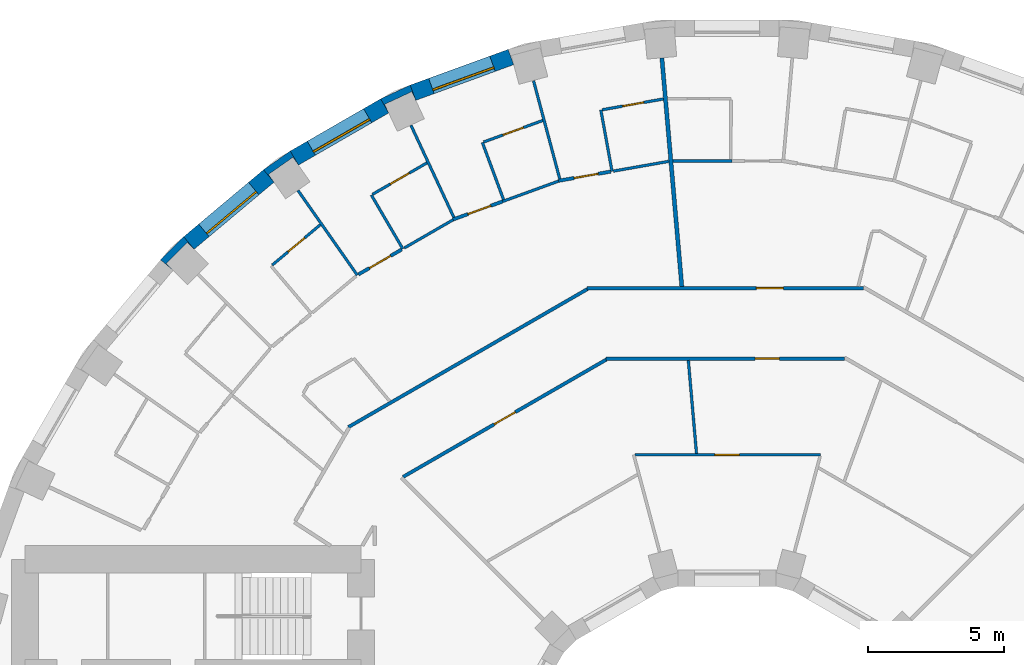
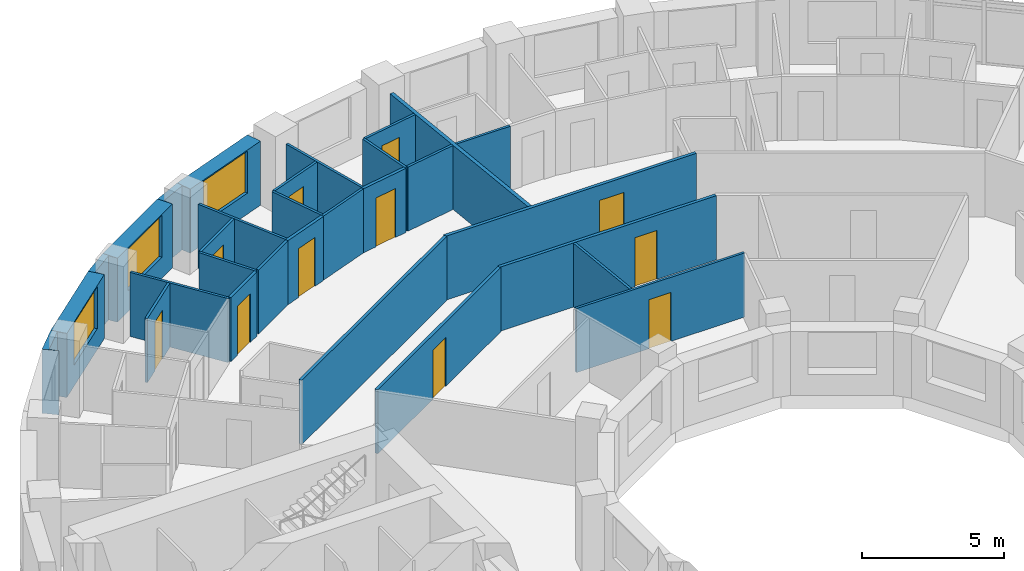
# One storey, part 11 of 15: 30 walls, 11 doors, 3 windows, 14 openings.
"""IFC4 building model written with IfcOpenShell, lengths in metres."""

from ifc_helpers import new_model, si_unit, direction, frame, frame_2d, origin, place, context, subcontext, project, spatial, polyline, rectangle, outline, extrude, material, layer, layer_set, type_object, element, fill, save


model = new_model("IFC4")

# Units and contexts
model_context = context("Model", 3, precision=1e-05, world=origin(), true_north=direction((0.0, 1.0)))
body_context = subcontext(model_context, "Body", "Model", "MODEL_VIEW")
ifc_project = project(units=[si_unit("LENGTHUNIT", "METRE"), si_unit("AREAUNIT", "SQUARE_METRE"), si_unit("VOLUMEUNIT", "CUBIC_METRE"), si_unit("PLANEANGLEUNIT", "RADIAN"), si_unit("MASSUNIT", "GRAM", prefix="KILO")], contexts=[model_context])

# Site, building, storey
site_placement = place(None, origin())
site = spatial("IfcSite", under=ifc_project, at=site_placement, CompositionType="ELEMENT")
building_placement = place(site_placement, origin())
building = spatial("IfcBuilding", under=site, at=building_placement, Name="Saqina Gate Tower", CompositionType="ELEMENT")
storey_placement = place(building_placement, frame((0.0, 0.0, 59.300048828125)))
storey = spatial("IfcBuildingStorey", under=building, at=storey_placement, Name="L16", CompositionType="ELEMENT", Elevation=59.300048828125)

# Walls
ifc_material_1 = material(Name="Brick masonry (red)", Category="masonry")
wall_type_1 = type_object("IfcWallType", Name="BRICK PIER COPING RED", PredefinedType="SOLIDWALL", material=ifc_material_1)
wall_1_placement = place(storey_placement, origin())
element("IfcWall", 1, at=wall_1_placement, inside=storey, type_object=wall_type_1, Name="Pier cap L16 column 12", PredefinedType="SOLIDWALL", context=body_context, shape_type="SweptSolid", body=[
    extrude(outline(polyline([(-12.779541015625, 25.980712890625), (-12.4794921875, 25.4609375), (-12.627685546875, 25.778564453125), (-11.630615234375, 26.243408203125), (-11.482666015625, 25.92578125), (-11.687744140625, 26.48974609375), (-12.779541015625, 25.980712890625)])), origin(), (0.0, 0.0, 1.0), 2.75),
])
wall_2_placement = place(storey_placement, origin())
element("IfcWall", 2, at=wall_2_placement, inside=storey, type_object=wall_type_1, Name="Pier cap L16 column 13", PredefinedType="SOLIDWALL", context=body_context, shape_type="SweptSolid", body=[
    extrude(outline(polyline([(-16.110107421875, 24.0576171875), (-17.096923828125, 23.36669921875), (-16.711181640625, 22.9072265625), (-16.912109375, 23.194091796875), (-16.010986328125, 23.8251953125), (-15.81005859375, 23.5380859375), (-16.110107421875, 24.0576171875)])), origin(), (0.0, 0.0, 1.0), 2.75),
])
wall_3_placement = place(storey_placement, origin())
element("IfcWall", 3, at=wall_3_placement, inside=storey, type_object=wall_type_1, Name="Pier cap L16 column 14", PredefinedType="SOLIDWALL", context=body_context, shape_type="SweptSolid", body=[
    extrude(outline(polyline([(-20.894775390625, 20.04296875), (-20.43505859375, 19.6572265625), (-20.682861328125, 19.905029296875), (-19.905029296875, 20.682861328125), (-19.6572265625, 20.43505859375), (-20.04296875, 20.894775390625), (-20.894775390625, 20.04296875)])), origin(), (0.0, 0.0, 1.0), 2.75),
])

# Wall, opening, window
ifc_material_2 = material(Name="Brick masonry (red)", Category="masonry")
ifc_layer_1 = layer(ifc_material_2, 0.60009765625)
ifc_layer_set_1 = layer_set([ifc_layer_1], Name="FW-BRICK-RED")
wall_type_2 = type_object("IfcWallType", Name="FW-BRICK-RED", PredefinedType="SOLIDWALL", material=ifc_layer_set_1)
wall_4_placement = place(storey_placement, frame((-7.97119140625, 27.523193359375, 0.0), z_axis=(0.0, 0.0, 1.0), x_axis=(-0.939689588564, -0.342028474173, 0.0)))
wall_4 = element("IfcWall", 4, at=wall_4_placement, inside=storey, type_object=wall_type_2, Name="Facade wall L16 facet 11", PredefinedType="SOLIDWALL", context=body_context, shape_type="SweptSolid", body=[
    extrude(rectangle(XDim=3.845947265625, YDim=0.60009765625, at=frame_2d((1.9228515625, 0.0))), origin(), (0.0, 0.0, 1.0), 2.75),
])
opening_1_placement = place(wall_4_placement, frame((0.722900390625, 0.0, 0.89990234375)))
opening_1 = element("IfcOpeningElement", 5, at=opening_1_placement, cuts=wall_4, Name="Opening G04-W06", PredefinedType="OPENING", context=body_context, shape_type="SweptSolid", body=[
    extrude(rectangle(XDim=2.39990234375, YDim=1.800048828125, at=frame_2d((1.199951171875, 0.89990234375))), frame((0.0, 0.31201171875, 0.0), z_axis=(0.0, -1.0, 0.0), x_axis=(1.0, 0.0, 0.0)), (0.0, 0.0, 1.0), 0.6240234375),
])
ifc_material_3 = material(Name="Aluminium glazing", Category="aluminium")
window_type = type_object("IfcWindowType", Name="WN-A", PartitioningType="SINGLE_PANEL", PredefinedType="WINDOW", material=ifc_material_3)
window_1_placement = place(opening_1_placement, origin())
window_1 = element("IfcWindow", 6, at=window_1_placement, inside=storey, type_object=window_type, Name="Window L16 facet 11", OverallHeight=1.800048828125, OverallWidth=2.39990234375, PartitioningType="SINGLE_PANEL", PredefinedType="WINDOW", context=body_context, shape_type="SweptSolid", body=[
    extrude(rectangle(XDim=2.39990234375, YDim=1.800048828125, at=frame_2d((1.199951171875, 0.89990234375))), frame((0.0, 0.179931640625, 0.0), z_axis=(0.0, -1.0, 0.0), x_axis=(1.0, 0.0, 0.0)), (0.0, 0.0, 1.0), 0.06005859375),
])
fill(opening_1, window_1)

wall_5_placement = place(storey_placement, frame((-12.629638671875, 25.720703125, 0.0), z_axis=(0.0, 0.0, 1.0), x_axis=(-0.86603124159, -0.499989888488, 0.0)))
wall_5 = element("IfcWall", 7, at=wall_5_placement, inside=storey, type_object=wall_type_2, Name="Facade wall L16 facet 12", PredefinedType="SOLIDWALL", context=body_context, shape_type="SweptSolid", body=[
    extrude(rectangle(XDim=3.845703125, YDim=0.60009765625, at=frame_2d((1.9228515625, 0.0))), origin(), (0.0, 0.0, 1.0), 2.75),
])
opening_2_placement = place(wall_5_placement, frame((0.722900390625, 0.0, 0.89990234375)))
opening_2 = element("IfcOpeningElement", 8, at=opening_2_placement, cuts=wall_5, Name="Opening G04-W07", PredefinedType="OPENING", context=body_context, shape_type="SweptSolid", body=[
    extrude(rectangle(XDim=2.39990234375, YDim=1.800048828125, at=frame_2d((1.199951171875, 0.89990234375))), frame((0.0, 0.31201171875, 0.0), z_axis=(0.0, -1.0, 0.0), x_axis=(1.0, 0.0, 0.0)), (0.0, 0.0, 1.0), 0.6240234375),
])
window_2_placement = place(opening_2_placement, origin())
window_2 = element("IfcWindow", 9, at=window_2_placement, inside=storey, type_object=window_type, Name="Window L16 facet 12", OverallHeight=1.800048828125, OverallWidth=2.39990234375, PartitioningType="SINGLE_PANEL", PredefinedType="WINDOW", context=body_context, shape_type="SweptSolid", body=[
    extrude(rectangle(XDim=2.39990234375, YDim=1.800048828125, at=frame_2d((1.199951171875, 0.89990234375))), frame((0.0, 0.179931640625, 0.0), z_axis=(0.0, -1.0, 0.0), x_axis=(1.0, 0.0, 0.0)), (0.0, 0.0, 1.0), 0.06005859375),
])
fill(opening_2, window_2)

wall_6_placement = place(storey_placement, frame((-16.904052734375, 23.136962890625, 0.0), z_axis=(0.0, 0.0, 1.0), x_axis=(-0.766026164483, -0.642809392687, 0.0)))
wall_6 = element("IfcWall", 10, at=wall_6_placement, inside=storey, type_object=wall_type_2, Name="Facade wall L16 facet 13", PredefinedType="SOLIDWALL", context=body_context, shape_type="SweptSolid", body=[
    extrude(rectangle(XDim=3.845947265625, YDim=0.60009765625, at=frame_2d((1.9228515625, 0.0))), origin(), (0.0, 0.0, 1.0), 2.75),
])
opening_3_placement = place(wall_6_placement, frame((0.722900390625, 0.0, 0.89990234375)))
opening_3 = element("IfcOpeningElement", 11, at=opening_3_placement, cuts=wall_6, Name="Opening G04-W08", PredefinedType="OPENING", context=body_context, shape_type="SweptSolid", body=[
    extrude(rectangle(XDim=2.39990234375, YDim=1.800048828125, at=frame_2d((1.199951171875, 0.89990234375))), frame((0.0, 0.31201171875, 0.0), z_axis=(0.0, -1.0, 0.0), x_axis=(1.0, 0.0, 0.0)), (0.0, 0.0, 1.0), 0.6240234375),
])
window_3_placement = place(opening_3_placement, origin())
window_3 = element("IfcWindow", 12, at=window_3_placement, inside=storey, type_object=window_type, Name="Window L16 facet 13", OverallHeight=1.800048828125, OverallWidth=2.39990234375, PartitioningType="SINGLE_PANEL", PredefinedType="WINDOW", context=body_context, shape_type="SweptSolid", body=[
    extrude(rectangle(XDim=2.39990234375, YDim=1.800048828125, at=frame_2d((1.199951171875, 0.89990234375))), frame((0.0, 0.179931640625, 0.0), z_axis=(0.0, -1.0, 0.0), x_axis=(1.0, 0.0, 0.0)), (0.0, 0.0, 1.0), 0.06005859375),
])
fill(opening_3, window_3)

# Walls
ifc_material_4 = material(Name="Gypsum board on steel studs, 100 mm", Category="steel")
ifc_layer_2 = layer(ifc_material_4, 0.10009765625)
ifc_layer_set_2 = layer_set([ifc_layer_2], Name="PARTITION 100")
wall_type_3 = type_object("IfcWallType", Name="PARTITION 100", PredefinedType="PARTITIONING", material=ifc_layer_set_2)
wall_7_placement = place(storey_placement, frame((-1.429443359375, 16.337646484375, 0.0), z_axis=(0.0, 0.0, 1.0), x_axis=(0.087231016206, -0.996188109652, 0.0)))
element("IfcWall", 13, at=wall_7_placement, inside=storey, type_object=wall_type_3, Name="PARTITION PW3-04", PredefinedType="PARTITIONING", context=body_context, shape_type="SweptSolid", body=[
    extrude(rectangle(XDim=3.450927734375, YDim=0.10009765625, at=frame_2d((1.7255859375, 0.0))), origin(), (0.0, 0.0, 1.0), 2.75),
])
wall_8_placement = place(storey_placement, frame((-4.656005859375, 25.570068359375, 0.0), z_axis=(0.0, 0.0, 1.0), x_axis=(0.179165642613, -0.983818922621, 0.0)))
element("IfcWall", 14, at=wall_8_placement, inside=storey, type_object=wall_type_3, Name="PARTITION PW3-08", PredefinedType="PARTITIONING", context=body_context, shape_type="SweptSolid", body=[
    extrude(rectangle(XDim=2.300048828125, YDim=0.10009765625, at=frame_2d((1.14990234375, 0.0))), origin(), (0.0, 0.0, 1.0), 2.75),
])
wall_9_placement = place(storey_placement, frame((-7.139404296875, 26.650146484375, 0.0), z_axis=(0.0, 0.0, 1.0), x_axis=(0.258074907141, -0.966124910301, 0.0)))
element("IfcWall", 15, at=wall_9_placement, inside=storey, type_object=wall_type_3, Name="PARTITION PW3-09", PredefinedType="PARTITIONING", context=body_context, shape_type="SweptSolid", body=[
    extrude(rectangle(XDim=3.759521484375, YDim=0.10009765625, at=frame_2d((1.8798828125, 0.0))), origin(), (0.0, 0.0, 1.0), 2.75),
])
wall_10_placement = place(storey_placement, frame((-9.02587890625, 24.3720703125, 0.0), z_axis=(0.0, 0.0, 1.0), x_axis=(0.347445153589, -0.937700306733, 0.0)))
element("IfcWall", 16, at=wall_10_placement, inside=storey, type_object=wall_type_3, Name="PARTITION PW3-14", PredefinedType="PARTITIONING", context=body_context, shape_type="SweptSolid", body=[
    extrude(rectangle(XDim=2.249267578125, YDim=0.10009765625, at=frame_2d((1.12451171875, 0.0))), origin(), (0.0, 0.0, 1.0), 2.75),
])
wall_11_placement = place(storey_placement, frame((-11.65966796875, 25.005126953125, 0.0), z_axis=(0.0, 0.0, 1.0), x_axis=(0.422316636066, -0.906448376303, 0.0)))
element("IfcWall", 17, at=wall_11_placement, inside=storey, type_object=wall_type_3, Name="PARTITION PW3-15", PredefinedType="PARTITIONING", context=body_context, shape_type="SweptSolid", body=[
    extrude(rectangle(XDim=3.760009765625, YDim=0.10009765625, at=frame_2d((1.8798828125, 0.0))), origin(), (0.0, 0.0, 1.0), 2.75),
])
wall_12_placement = place(storey_placement, frame((-13.12109375, 22.43505859375, 0.0), z_axis=(0.0, 0.0, 1.0), x_axis=(0.504708754908, -0.863289680651, 0.0)))
element("IfcWall", 18, at=wall_12_placement, inside=storey, type_object=wall_type_3, Name="PARTITION PW3-17", PredefinedType="PARTITIONING", context=body_context, shape_type="SweptSolid", body=[
    extrude(rectangle(XDim=2.300537109375, YDim=0.10009765625, at=frame_2d((1.150390625, 0.0))), origin(), (0.0, 0.0, 1.0), 2.75),
])
wall_13_placement = place(storey_placement, frame((-15.824951171875, 22.6005859375, 0.0), z_axis=(0.0, 0.0, 1.0), x_axis=(0.573574167811, -0.819153632733, 0.0)))
element("IfcWall", 19, at=wall_13_placement, inside=storey, type_object=wall_type_3, Name="PARTITION PW3-19", PredefinedType="PARTITIONING", context=body_context, shape_type="SweptSolid", body=[
    extrude(rectangle(XDim=3.8095703125, YDim=0.10009765625, at=frame_2d((1.90478515625, 0.0))), origin(), (0.0, 0.0, 1.0), 2.75),
])

# Wall, opening, door
wall_14_placement = place(storey_placement, frame((-3.39306640625, 12.85009765625, 0.0), z_axis=(0.0, 0.0, 1.0), x_axis=(1.0, 0.0, 0.0)))
wall_14 = element("IfcWall", 20, at=wall_14_placement, inside=storey, type_object=wall_type_3, Name="PARTITION PW3-59", PredefinedType="PARTITIONING", context=body_context, shape_type="SweptSolid", body=[
    extrude(rectangle(XDim=6.836181640625, YDim=0.10009765625, at=frame_2d((3.41796875, 0.0))), origin(), (0.0, 0.0, 1.0), 2.75),
])
opening_4_placement = place(wall_14_placement, frame((2.943115234375, 0.0, 0.0)))
opening_4 = element("IfcOpeningElement", 21, at=opening_4_placement, cuts=wall_14, Name="Opening G04-D18", PredefinedType="OPENING", context=body_context, shape_type="SweptSolid", body=[
    extrude(rectangle(XDim=0.89990234375, YDim=2.10009765625, at=frame_2d((0.449951171875, 1.050048828125))), frame((0.0, 0.06201171875, 0.0), z_axis=(0.0, -1.0, 0.0), x_axis=(1.0, 0.0, 0.0)), (0.0, 0.0, 1.0), 0.1240234375),
])
ifc_material_5 = material(Name="Timber door leaf, 900 mm", Category="wood")
door_type_1 = type_object("IfcDoorType", Name="DOOR 900 TIMBER", OperationType="SINGLE_SWING_LEFT", PredefinedType="DOOR", material=ifc_material_5)
door_1_placement = place(opening_4_placement, frame((0.89990234375, 0.0, 0.0), z_axis=(0.0, 0.0, 1.0), x_axis=(-1.0, 0.0, 0.0)))
door_1 = element("IfcDoor", 22, at=door_1_placement, inside=storey, type_object=door_type_1, Name="DOOR G04-D18", OperationType="SINGLE_SWING_RIGHT", OverallHeight=2.10009765625, OverallWidth=0.89990234375, PredefinedType="DOOR", context=body_context, shape_type="SweptSolid", body=[
    extrude(rectangle(XDim=0.89990234375, YDim=2.10009765625, at=frame_2d((0.449951171875, 1.050048828125))), frame((0.0, 0.02490234375, 0.0), z_axis=(0.0, -1.0, 0.0), x_axis=(1.0, 0.0, 0.0)), (0.0, 0.0, 1.0), 0.050048828125),
])
fill(opening_4, door_1)

# Walls
wall_15_placement = place(storey_placement, frame((-1.998046875, 23.68994140625, 0.0), z_axis=(0.0, 0.0, 1.0), x_axis=(1.0, 0.0, 0.0)))
element("IfcWall", 23, at=wall_15_placement, inside=storey, type_object=wall_type_3, Name="PARTITION PW3-61", PredefinedType="PARTITIONING", context=body_context, shape_type="SweptSolid", body=[
    extrude(rectangle(XDim=2.18115234375, YDim=0.10009765625, at=frame_2d((1.090576171875, 0.0))), origin(), (0.0, 0.0, 1.0), 2.75),
])
wall_16_placement = place(storey_placement, frame((-4.19482421875, 23.315673828125, 0.0), z_axis=(0.0, 0.0, 1.0), x_axis=(0.984788286148, 0.173758543574, 0.0)))
element("IfcWall", 24, at=wall_16_placement, inside=storey, type_object=wall_type_3, Name="PARTITION PW3-65", PredefinedType="PARTITIONING", context=body_context, shape_type="SweptSolid", body=[
    extrude(rectangle(XDim=2.07958984375, YDim=0.10009765625, at=frame_2d((1.039794921875, 0.0))), origin(), (0.0, 0.0, 1.0), 2.75),
])

# Wall, opening, door
wall_17_placement = place(storey_placement, frame((-4.606689453125, 25.57861328125, 0.0), z_axis=(0.0, 0.0, 1.0), x_axis=(0.984796414822, 0.173712467465, 0.0)))
wall_17 = element("IfcWall", 25, at=wall_17_placement, inside=storey, type_object=wall_type_3, Name="PARTITION PW3-66", PredefinedType="PARTITIONING", context=body_context, shape_type="SweptSolid", body=[
    extrude(rectangle(XDim=2.293701171875, YDim=0.10009765625, at=frame_2d((1.14697265625, 0.0))), origin(), (0.0, 0.0, 1.0), 2.75),
])
opening_5_placement = place(wall_17_placement, frame((0.759521484375, 0.0, 0.0)))
opening_5 = element("IfcOpeningElement", 26, at=opening_5_placement, cuts=wall_17, Name="Opening G04-D20", PredefinedType="OPENING", context=body_context, shape_type="SweptSolid", body=[
    extrude(rectangle(XDim=0.800048828125, YDim=2.10009765625, at=frame_2d((0.39990234375, 1.050048828125))), frame((0.0, 0.06201171875, 0.0), z_axis=(0.0, -1.0, 0.0), x_axis=(1.0, 0.0, 0.0)), (0.0, 0.0, 1.0), 0.1240234375),
])
ifc_material_6 = material(Name="Timber door leaf, 800 mm", Category="wood")
door_type_2 = type_object("IfcDoorType", Name="DOOR 800 TIMBER", OperationType="SINGLE_SWING_LEFT", PredefinedType="DOOR", material=ifc_material_6)
door_2_placement = place(opening_5_placement, origin())
door_2 = element("IfcDoor", 27, at=door_2_placement, inside=storey, type_object=door_type_2, Name="DOOR G04-D20", OperationType="SINGLE_SWING_RIGHT", OverallHeight=2.10009765625, OverallWidth=0.800048828125, PredefinedType="DOOR", context=body_context, shape_type="SweptSolid", body=[
    extrude(rectangle(XDim=0.800048828125, YDim=2.10009765625, at=frame_2d((0.39990234375, 1.050048828125))), frame((0.0, 0.02490234375, 0.0), z_axis=(0.0, -1.0, 0.0), x_axis=(1.0, 0.0, 0.0)), (0.0, 0.0, 1.0), 0.050048828125),
])
fill(opening_5, door_2)

# Wall
wall_18_placement = place(storey_placement, frame((-8.27392578125, 22.19873046875, 0.0), z_axis=(0.0, 0.0, 1.0), x_axis=(0.939712116987, 0.341966573204, 0.0)))
element("IfcWall", 28, at=wall_18_placement, inside=storey, type_object=wall_type_3, Name="PARTITION PW3-69", PredefinedType="PARTITIONING", context=body_context, shape_type="SweptSolid", body=[
    extrude(rectangle(XDim=2.1923828125, YDim=0.10009765625, at=frame_2d((1.09619140625, 0.0))), origin(), (0.0, 0.0, 1.0), 2.75),
])

# Wall, opening, door
wall_19_placement = place(storey_placement, frame((-8.97900390625, 24.38916015625, 0.0), z_axis=(0.0, 0.0, 1.0), x_axis=(0.93967659433, 0.342064172443, 0.0)))
wall_19 = element("IfcWall", 29, at=wall_19_placement, inside=storey, type_object=wall_type_3, Name="PARTITION PW3-70", PredefinedType="PARTITIONING", context=body_context, shape_type="SweptSolid", body=[
    extrude(rectangle(XDim=2.319580078125, YDim=0.10009765625, at=frame_2d((1.15966796875, 0.0))), origin(), (0.0, 0.0, 1.0), 2.75),
])
opening_6_placement = place(wall_19_placement, frame((0.760009765625, 0.0, 0.0)))
opening_6 = element("IfcOpeningElement", 30, at=opening_6_placement, cuts=wall_19, Name="Opening G04-D22", PredefinedType="OPENING", context=body_context, shape_type="SweptSolid", body=[
    extrude(rectangle(XDim=0.800048828125, YDim=2.10009765625, at=frame_2d((0.39990234375, 1.050048828125))), frame((0.0, 0.06201171875, 0.0), z_axis=(0.0, -1.0, 0.0), x_axis=(1.0, 0.0, 0.0)), (0.0, 0.0, 1.0), 0.1240234375),
])
door_3_placement = place(opening_6_placement, origin())
door_3 = element("IfcDoor", 31, at=door_3_placement, inside=storey, type_object=door_type_2, Name="DOOR G04-D22", OperationType="SINGLE_SWING_RIGHT", OverallHeight=2.10009765625, OverallWidth=0.800048828125, PredefinedType="DOOR", context=body_context, shape_type="SweptSolid", body=[
    extrude(rectangle(XDim=0.800048828125, YDim=2.10009765625, at=frame_2d((0.39990234375, 1.050048828125))), frame((0.0, 0.02490234375, 0.0), z_axis=(0.0, -1.0, 0.0), x_axis=(1.0, 0.0, 0.0)), (0.0, 0.0, 1.0), 0.050048828125),
])
fill(opening_6, door_3)

# Wall
wall_20_placement = place(storey_placement, frame((-11.90576171875, 20.480224609375, 0.0), z_axis=(0.0, 0.0, 1.0), x_axis=(0.865966712092, 0.500101643217, 0.0)))
element("IfcWall", 32, at=wall_20_placement, inside=storey, type_object=wall_type_3, Name="PARTITION PW3-77", PredefinedType="PARTITIONING", context=body_context, shape_type="SweptSolid", body=[
    extrude(rectangle(XDim=2.08056640625, YDim=0.10009765625, at=frame_2d((1.040283203125, 0.0))), origin(), (0.0, 0.0, 1.0), 2.75),
])

# Wall, opening, door
wall_21_placement = place(storey_placement, frame((-13.07763671875, 22.4599609375, 0.0), z_axis=(0.0, 0.0, 1.0), x_axis=(0.865947141423, 0.500135529893, 0.0)))
wall_21 = element("IfcWall", 33, at=wall_21_placement, inside=storey, type_object=wall_type_3, Name="PARTITION PW3-78", PredefinedType="PARTITIONING", context=body_context, shape_type="SweptSolid", body=[
    extrude(rectangle(XDim=2.319091796875, YDim=0.10009765625, at=frame_2d((1.15966796875, 0.0))), origin(), (0.0, 0.0, 1.0), 2.75),
])
opening_7_placement = place(wall_21_placement, frame((0.759765625, 0.0, 0.0)))
opening_7 = element("IfcOpeningElement", 34, at=opening_7_placement, cuts=wall_21, Name="Opening G04-D24", PredefinedType="OPENING", context=body_context, shape_type="SweptSolid", body=[
    extrude(rectangle(XDim=0.800048828125, YDim=2.10009765625, at=frame_2d((0.39990234375, 1.050048828125))), frame((0.0, 0.06201171875, 0.0), z_axis=(0.0, -1.0, 0.0), x_axis=(1.0, 0.0, 0.0)), (0.0, 0.0, 1.0), 0.1240234375),
])
door_4_placement = place(opening_7_placement, origin())
door_4 = element("IfcDoor", 35, at=door_4_placement, inside=storey, type_object=door_type_2, Name="DOOR G04-D24", OperationType="SINGLE_SWING_RIGHT", OverallHeight=2.10009765625, OverallWidth=0.800048828125, PredefinedType="DOOR", context=body_context, shape_type="SweptSolid", body=[
    extrude(rectangle(XDim=0.800048828125, YDim=2.10009765625, at=frame_2d((0.39990234375, 1.050048828125))), frame((0.0, 0.02490234375, 0.0), z_axis=(0.0, -1.0, 0.0), x_axis=(1.0, 0.0, 0.0)), (0.0, 0.0, 1.0), 0.050048828125),
])
fill(opening_7, door_4)

wall_22_placement = place(storey_placement, frame((-16.77880859375, 19.84814453125, 0.0), z_axis=(0.0, 0.0, 1.0), x_axis=(0.766051078848, 0.642779701449, 0.0)))
wall_22 = element("IfcWall", 36, at=wall_22_placement, inside=storey, type_object=wall_type_3, Name="PARTITION PW3-82", PredefinedType="PARTITIONING", context=body_context, shape_type="SweptSolid", body=[
    extrude(rectangle(XDim=2.319091796875, YDim=0.10009765625, at=frame_2d((1.15966796875, 0.0))), origin(), (0.0, 0.0, 1.0), 2.75),
])
opening_8_placement = place(wall_22_placement, frame((0.759521484375, 0.0, 0.0)))
opening_8 = element("IfcOpeningElement", 37, at=opening_8_placement, cuts=wall_22, Name="Opening G04-D28", PredefinedType="OPENING", context=body_context, shape_type="SweptSolid", body=[
    extrude(rectangle(XDim=0.800048828125, YDim=2.10009765625, at=frame_2d((0.39990234375, 1.050048828125))), frame((0.0, 0.06201171875, 0.0), z_axis=(0.0, -1.0, 0.0), x_axis=(1.0, 0.0, 0.0)), (0.0, 0.0, 1.0), 0.1240234375),
])
door_5_placement = place(opening_8_placement, origin())
door_5 = element("IfcDoor", 38, at=door_5_placement, inside=storey, type_object=door_type_2, Name="DOOR G04-D28", OperationType="SINGLE_SWING_LEFT", OverallHeight=2.10009765625, OverallWidth=0.800048828125, PredefinedType="DOOR", context=body_context, shape_type="SweptSolid", body=[
    extrude(rectangle(XDim=0.800048828125, YDim=2.10009765625, at=frame_2d((0.39990234375, 1.050048828125))), frame((0.0, 0.02490234375, 0.0), z_axis=(0.0, -1.0, 0.0), x_axis=(1.0, 0.0, 0.0)), (0.0, 0.0, 1.0), 0.050048828125),
])
fill(opening_8, door_5)

ifc_material_7 = material(Name="Gypsum board on steel studs, 125 mm, fire rated", Category="steel")
ifc_layer_3 = layer(ifc_material_7, 0.125)
ifc_layer_set_3 = layer_set([ifc_layer_3], Name="PARTITION EI 30 125")
wall_type_4 = type_object("IfcWallType", Name="PARTITION EI 30 125", PredefinedType="PARTITIONING", material=ifc_layer_set_3)
wall_23_placement = place(storey_placement, frame((-4.466064453125, 16.39990234375, 0.0), z_axis=(0.0, 0.0, 1.0), x_axis=(1.0, 0.0, 0.0)))
wall_23 = element("IfcWall", 39, at=wall_23_placement, inside=storey, type_object=wall_type_4, Name="PARTITION PW1-24", PredefinedType="PARTITIONING", context=body_context, shape_type="SweptSolid", body=[
    extrude(rectangle(XDim=8.797607421875, YDim=0.125, at=frame_2d((4.39892578125, 0.0))), origin(), (0.0, 0.0, 1.0), 2.75),
])
opening_9_placement = place(wall_23_placement, frame((5.49560546875, 0.0, 0.0)))
opening_9 = element("IfcOpeningElement", 40, at=opening_9_placement, cuts=wall_23, Name="Opening G04-D15", PredefinedType="OPENING", context=body_context, shape_type="SweptSolid", body=[
    extrude(rectangle(XDim=0.89990234375, YDim=2.10009765625, at=frame_2d((0.449951171875, 1.050048828125))), frame((0.0, 0.074462890625, 0.0), z_axis=(0.0, -1.0, 0.0), x_axis=(1.0, 0.0, 0.0)), (0.0, 0.0, 1.0), 0.14892578125),
])
ifc_material_8 = material(Name="Fire door leaf EI 30, 900 mm")
door_type_3 = type_object("IfcDoorType", Name="DOOR 900 EI 30", OperationType="SINGLE_SWING_LEFT", PredefinedType="DOOR", material=ifc_material_8)
door_6_placement = place(opening_9_placement, frame((0.89990234375, 0.0, 0.0), z_axis=(0.0, 0.0, 1.0), x_axis=(-1.0, 0.0, 0.0)))
door_6 = element("IfcDoor", 41, at=door_6_placement, inside=storey, type_object=door_type_3, Name="DOOR G04-D15", OperationType="SINGLE_SWING_LEFT", OverallHeight=2.10009765625, OverallWidth=0.89990234375, PredefinedType="DOOR", context=body_context, shape_type="SweptSolid", body=[
    extrude(rectangle(XDim=0.89990234375, YDim=2.10009765625, at=frame_2d((0.449951171875, 1.050048828125))), frame((0.0, 0.02490234375, 0.0), z_axis=(0.0, -1.0, 0.0), x_axis=(1.0, 0.0, 0.0)), (0.0, 0.0, 1.0), 0.050048828125),
])
fill(opening_9, door_6)

wall_24_placement = place(storey_placement, frame((-5.1630859375, 19.0, 0.0), z_axis=(0.0, 0.0, 1.0), x_axis=(1.0, 0.0, 0.0)))
wall_24 = element("IfcWall", 42, at=wall_24_placement, inside=storey, type_object=wall_type_4, Name="PARTITION PW1-25", PredefinedType="PARTITIONING", context=body_context, shape_type="SweptSolid", body=[
    extrude(rectangle(XDim=10.191650390625, YDim=0.125, at=frame_2d((5.095703125, 0.0))), origin(), (0.0, 0.0, 1.0), 2.75),
])
opening_10_placement = place(wall_24_placement, frame((6.24169921875, 0.0, 0.0)))
opening_10 = element("IfcOpeningElement", 43, at=opening_10_placement, cuts=wall_24, Name="Opening G04-D16", PredefinedType="OPENING", context=body_context, shape_type="SweptSolid", body=[
    extrude(rectangle(XDim=1.0, YDim=2.10009765625, at=frame_2d((0.5, 1.050048828125))), frame((0.0, 0.074462890625, 0.0), z_axis=(0.0, -1.0, 0.0), x_axis=(1.0, 0.0, 0.0)), (0.0, 0.0, 1.0), 0.14892578125),
])
ifc_material_9 = material(Name="Fire door leaf EI 30, 1000 mm")
door_type_4 = type_object("IfcDoorType", Name="DOOR 1000 EI 30", OperationType="SINGLE_SWING_LEFT", PredefinedType="DOOR", material=ifc_material_9)
door_7_placement = place(opening_10_placement, origin())
door_7 = element("IfcDoor", 44, at=door_7_placement, inside=storey, type_object=door_type_4, Name="DOOR G04-D16", OperationType="SINGLE_SWING_RIGHT", OverallHeight=2.10009765625, OverallWidth=1.0, PredefinedType="DOOR", context=body_context, shape_type="SweptSolid", body=[
    extrude(rectangle(XDim=1.0, YDim=2.10009765625, at=frame_2d((0.5, 1.050048828125))), frame((0.0, 0.02490234375, 0.0), z_axis=(0.0, -1.0, 0.0), x_axis=(1.0, 0.0, 0.0)), (0.0, 0.0, 1.0), 0.050048828125),
])
fill(opening_10, door_7)

wall_25_placement = place(storey_placement, frame((-6.217529296875, 22.958984375, 0.0), z_axis=(0.0, 0.0, 1.0), x_axis=(0.984803677322, 0.173671290469, 0.0)))
wall_25 = element("IfcWall", 45, at=wall_25_placement, inside=storey, type_object=wall_type_4, Name="PARTITION PW1-28", PredefinedType="PARTITIONING", context=body_context, shape_type="SweptSolid", body=[
    extrude(rectangle(XDim=1.9541015625, YDim=0.125, at=frame_2d((0.97705078125, 0.0))), origin(), (0.0, 0.0, 1.0), 2.75),
])
opening_11_placement = place(wall_25_placement, frame((0.583740234375, 0.0, 0.0)))
opening_11 = element("IfcOpeningElement", 46, at=opening_11_placement, cuts=wall_25, Name="Opening G04-D21", PredefinedType="OPENING", context=body_context, shape_type="SweptSolid", body=[
    extrude(rectangle(XDim=0.89990234375, YDim=2.10009765625, at=frame_2d((0.449951171875, 1.050048828125))), frame((0.0, 0.074462890625, 0.0), z_axis=(0.0, -1.0, 0.0), x_axis=(1.0, 0.0, 0.0)), (0.0, 0.0, 1.0), 0.14892578125),
])
door_8_placement = place(opening_11_placement, frame((0.89990234375, 0.0, 0.0), z_axis=(0.0, 0.0, 1.0), x_axis=(-1.0, 0.0, 0.0)))
door_8 = element("IfcDoor", 47, at=door_8_placement, inside=storey, type_object=door_type_3, Name="DOOR G04-D21", OperationType="SINGLE_SWING_RIGHT", OverallHeight=2.10009765625, OverallWidth=0.89990234375, PredefinedType="DOOR", context=body_context, shape_type="SweptSolid", body=[
    extrude(rectangle(XDim=0.89990234375, YDim=2.10009765625, at=frame_2d((0.449951171875, 1.050048828125))), frame((0.0, 0.02490234375, 0.0), z_axis=(0.0, -1.0, 0.0), x_axis=(1.0, 0.0, 0.0)), (0.0, 0.0, 1.0), 0.050048828125),
])
fill(opening_11, door_8)

wall_26_placement = place(storey_placement, frame((-10.109619140625, 21.5302734375, 0.0), z_axis=(0.0, 0.0, 1.0), x_axis=(0.939599898996, 0.342274786986, 0.0)))
wall_26 = element("IfcWall", 48, at=wall_26_placement, inside=storey, type_object=wall_type_4, Name="PARTITION PW1-30", PredefinedType="PARTITIONING", context=body_context, shape_type="SweptSolid", body=[
    extrude(rectangle(XDim=1.95361328125, YDim=0.125, at=frame_2d((0.976806640625, 0.0))), origin(), (0.0, 0.0, 1.0), 2.75),
])
opening_12_placement = place(wall_26_placement, frame((0.58349609375, 0.0, 0.0)))
opening_12 = element("IfcOpeningElement", 49, at=opening_12_placement, cuts=wall_26, Name="Opening G04-D23", PredefinedType="OPENING", context=body_context, shape_type="SweptSolid", body=[
    extrude(rectangle(XDim=0.89990234375, YDim=2.10009765625, at=frame_2d((0.449951171875, 1.050048828125))), frame((0.0, 0.074462890625, 0.0), z_axis=(0.0, -1.0, 0.0), x_axis=(1.0, 0.0, 0.0)), (0.0, 0.0, 1.0), 0.14892578125),
])
door_9_placement = place(opening_12_placement, frame((0.89990234375, 0.0, 0.0), z_axis=(0.0, 0.0, 1.0), x_axis=(-1.0, 0.0, 0.0)))
door_9 = element("IfcDoor", 50, at=door_9_placement, inside=storey, type_object=door_type_3, Name="DOOR G04-D23", OperationType="SINGLE_SWING_RIGHT", OverallHeight=2.10009765625, OverallWidth=0.89990234375, PredefinedType="DOOR", context=body_context, shape_type="SweptSolid", body=[
    extrude(rectangle(XDim=0.89990234375, YDim=2.10009765625, at=frame_2d((0.449951171875, 1.050048828125))), frame((0.0, 0.02490234375, 0.0), z_axis=(0.0, -1.0, 0.0), x_axis=(1.0, 0.0, 0.0)), (0.0, 0.0, 1.0), 0.050048828125),
])
fill(opening_12, door_9)

wall_27_placement = place(storey_placement, frame((-13.59716796875, 19.506103515625, 0.0), z_axis=(0.0, 0.0, 1.0), x_axis=(0.866538954681, 0.499109446936, 0.0)))
wall_27 = element("IfcWall", 51, at=wall_27_placement, inside=storey, type_object=wall_type_4, Name="PARTITION PW1-32", PredefinedType="PARTITIONING", context=body_context, shape_type="SweptSolid", body=[
    extrude(rectangle(XDim=1.839111328125, YDim=0.125, at=frame_2d((0.91943359375, 0.0))), origin(), (0.0, 0.0, 1.0), 2.75),
])
opening_13_placement = place(wall_27_placement, frame((0.4697265625, 0.0, 0.0)))
opening_13 = element("IfcOpeningElement", 52, at=opening_13_placement, cuts=wall_27, Name="Opening G04-D27", PredefinedType="OPENING", context=body_context, shape_type="SweptSolid", body=[
    extrude(rectangle(XDim=0.89990234375, YDim=2.10009765625, at=frame_2d((0.449951171875, 1.050048828125))), frame((0.0, 0.074462890625, 0.0), z_axis=(0.0, -1.0, 0.0), x_axis=(1.0, 0.0, 0.0)), (0.0, 0.0, 1.0), 0.14892578125),
])
door_10_placement = place(opening_13_placement, frame((0.89990234375, 0.0, 0.0), z_axis=(0.0, 0.0, 1.0), x_axis=(-1.0, 0.0, 0.0)))
door_10 = element("IfcDoor", 53, at=door_10_placement, inside=storey, type_object=door_type_3, Name="DOOR G04-D27", OperationType="SINGLE_SWING_RIGHT", OverallHeight=2.10009765625, OverallWidth=0.89990234375, PredefinedType="DOOR", context=body_context, shape_type="SweptSolid", body=[
    extrude(rectangle(XDim=0.89990234375, YDim=2.10009765625, at=frame_2d((0.449951171875, 1.050048828125))), frame((0.0, 0.02490234375, 0.0), z_axis=(0.0, -1.0, 0.0), x_axis=(1.0, 0.0, 0.0)), (0.0, 0.0, 1.0), 0.050048828125),
])
fill(opening_13, door_10)

wall_28_placement = place(storey_placement, frame((-11.951904296875, 12.037353515625, 0.0), z_axis=(0.0, 0.0, 1.0), x_axis=(0.866072505035, 0.499918409365, 0.0)))
wall_28 = element("IfcWall", 54, at=wall_28_placement, inside=storey, type_object=wall_type_4, Name="PARTITION PW1-35", PredefinedType="PARTITIONING", context=body_context, shape_type="SweptSolid", body=[
    extrude(rectangle(XDim=8.6640625, YDim=0.125, at=frame_2d((4.33203125, 0.0))), origin(), (0.0, 0.0, 1.0), 2.75),
])
opening_14_placement = place(wall_28_placement, frame((3.882080078125, 0.0, 0.0)))
opening_14 = element("IfcOpeningElement", 55, at=opening_14_placement, cuts=wall_28, Name="Opening G04-D26", PredefinedType="OPENING", context=body_context, shape_type="SweptSolid", body=[
    extrude(rectangle(XDim=0.89990234375, YDim=2.10009765625, at=frame_2d((0.449951171875, 1.050048828125))), frame((0.0, 0.074462890625, 0.0), z_axis=(0.0, -1.0, 0.0), x_axis=(1.0, 0.0, 0.0)), (0.0, 0.0, 1.0), 0.14892578125),
])
door_11_placement = place(opening_14_placement, frame((0.89990234375, 0.0, 0.0), z_axis=(0.0, 0.0, 1.0), x_axis=(-1.0, 0.0, 0.0)))
door_11 = element("IfcDoor", 56, at=door_11_placement, inside=storey, type_object=door_type_3, Name="DOOR G04-D26", OperationType="SINGLE_SWING_LEFT", OverallHeight=2.10009765625, OverallWidth=0.89990234375, PredefinedType="DOOR", context=body_context, shape_type="SweptSolid", body=[
    extrude(rectangle(XDim=0.89990234375, YDim=2.10009765625, at=frame_2d((0.449951171875, 1.050048828125))), frame((0.0, 0.02490234375, 0.0), z_axis=(0.0, -1.0, 0.0), x_axis=(1.0, 0.0, 0.0)), (0.0, 0.0, 1.0), 0.050048828125),
])
fill(opening_14, door_11)

# Walls
wall_29_placement = place(storey_placement, frame((-13.971435546875, 13.872802734375, 0.0), z_axis=(0.0, 0.0, 1.0), x_axis=(0.866024825845, 0.50000100102, 0.0)))
element("IfcWall", 57, at=wall_29_placement, inside=storey, type_object=wall_type_4, Name="PARTITION PW1-36", PredefinedType="PARTITIONING", context=body_context, shape_type="SweptSolid", body=[
    extrude(rectangle(XDim=10.19189453125, YDim=0.125, at=frame_2d((5.095947265625, 0.0))), origin(), (0.0, 0.0, 1.0), 2.75),
])
ifc_material_10 = material(Name="Gypsum board on steel studs, 150 mm, fire rated", Category="steel")
ifc_layer_4 = layer(ifc_material_10, 0.14990234375)
ifc_layer_set_4 = layer_set([ifc_layer_4], Name="PARTITION EI 60 150")
wall_type_5 = type_object("IfcWallType", Name="PARTITION EI 60 150", PredefinedType="PARTITIONING", material=ifc_layer_set_4)
wall_30_placement = place(storey_placement, frame((-2.404541015625, 27.485107421875, 0.0), z_axis=(0.0, 0.0, 1.0), x_axis=(0.086942360441, -0.996213343597, 0.0)))
element("IfcWall", 58, at=wall_30_placement, inside=storey, type_object=wall_type_5, Name="PARTITION PW2-01", PredefinedType="PARTITIONING", context=body_context, shape_type="SweptSolid", body=[
    extrude(rectangle(XDim=8.455078125, YDim=0.14990234375, at=frame_2d((4.2275390625, 0.0))), origin(), (0.0, 0.0, 1.0), 2.75),
])

save(model, "model.ifc")
